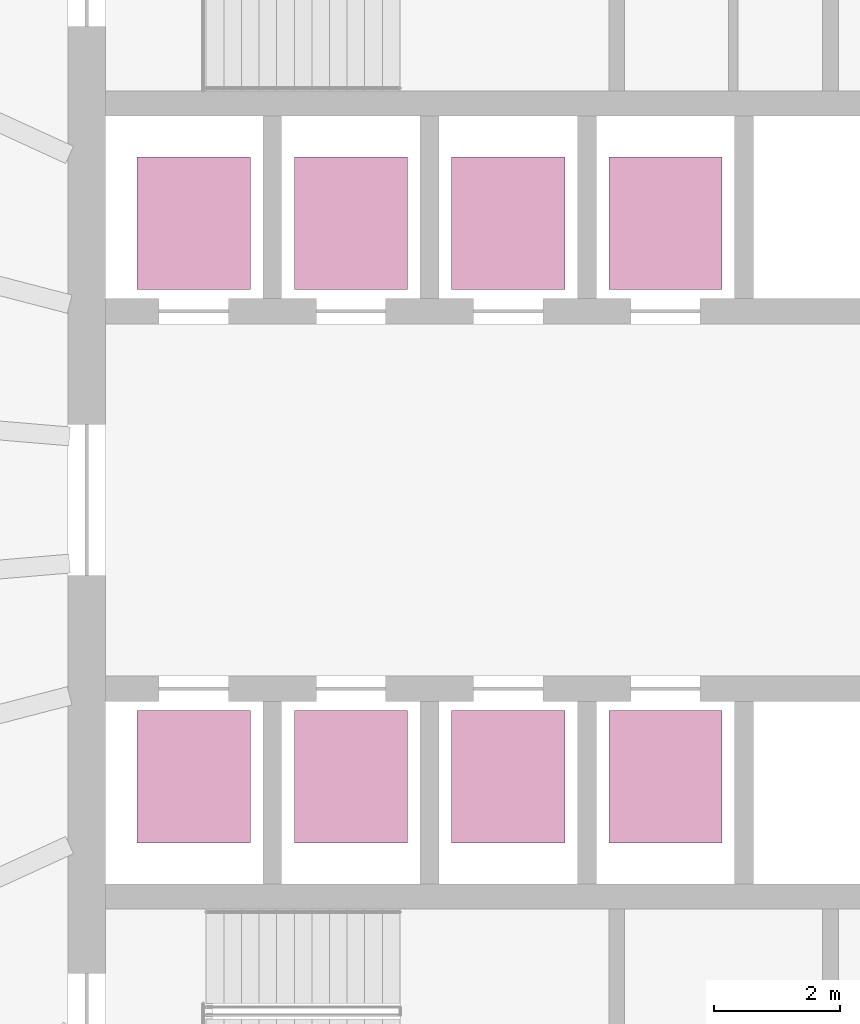
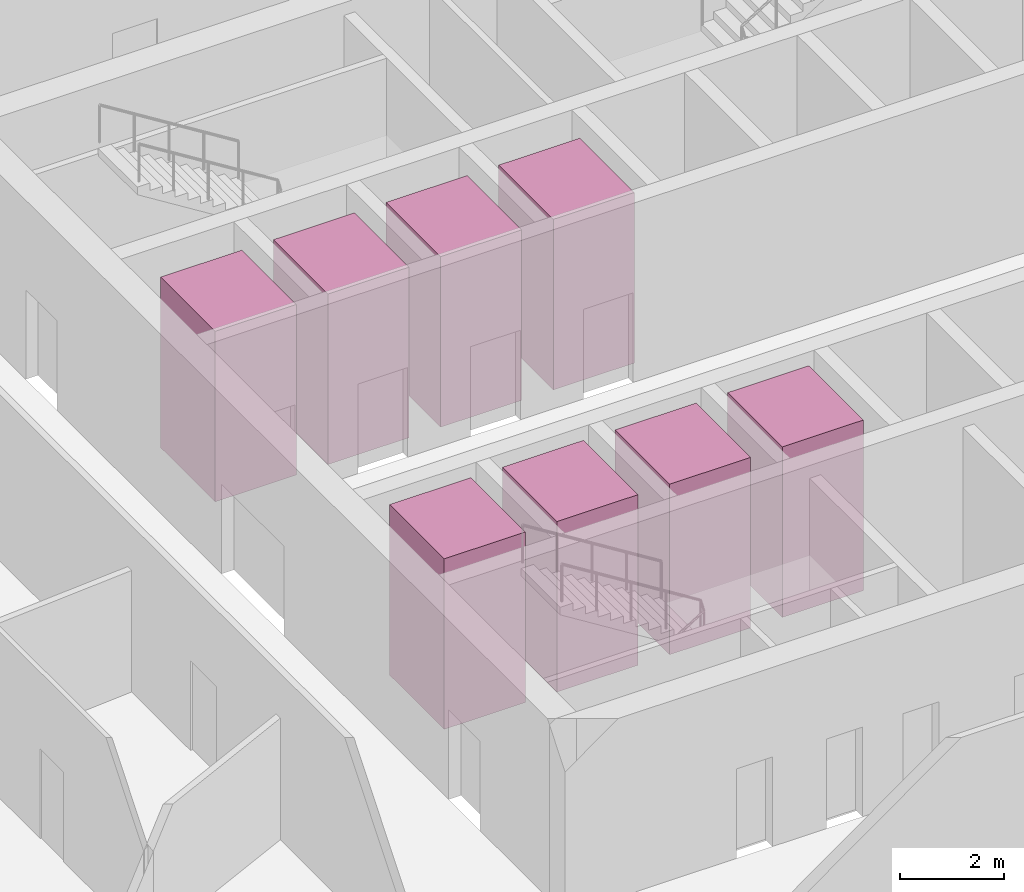
# One storey, part 10 of 10: 8 transport elements.
"""IFC4 building model written with IfcOpenShell, lengths in metres."""

from ifc_helpers import new_model, si_unit, direction, frame, origin, origin_2d, place, context, subcontext, project, spatial, rectangle, extrude, material, type_object, element, save


model = new_model("IFC4")

# Units and contexts
model_context = context("Model", 3, precision=1e-05, world=origin(), true_north=direction((0.0, 1.0)))
body_context = subcontext(model_context, "Body", "Model", "MODEL_VIEW")
ifc_project = project(units=[si_unit("LENGTHUNIT", "METRE"), si_unit("AREAUNIT", "SQUARE_METRE"), si_unit("VOLUMEUNIT", "CUBIC_METRE"), si_unit("PLANEANGLEUNIT", "RADIAN"), si_unit("MASSUNIT", "GRAM", prefix="KILO")], contexts=[model_context])

# Site, building, storey
site_placement = place(None, origin())
site = spatial("IfcSite", under=ifc_project, at=site_placement, CompositionType="ELEMENT")
building_placement = place(site_placement, origin())
building = spatial("IfcBuilding", under=site, at=building_placement, Name="Halqa Exchange Tower", CompositionType="ELEMENT")
storey_placement = place(building_placement, frame((0.0, 0.0, 90.699951171875)))
storey = spatial("IfcBuildingStorey", under=building, at=storey_placement, Name="L20", CompositionType="ELEMENT", Elevation=90.699951171875)

# Transport elements
ifc_material = material(Name="Stainless steel", Category="steel")
transport_element_type = type_object("IfcTransportElementType", Name="Low-rise passenger lift 1800 x 2100", PredefinedType="ELEVATOR", material=ifc_material)
for number, where, z_axis, x_axis, name in (
    (1, (-10.0, 4.39990234375, 0.0), (0.0, 0.0, 1.0), (1.0, 0.0, 0.0), "Low-rise passenger lift LR1"),
    (2, (-7.5, 4.39990234375, 0.0), (0.0, 0.0, 1.0), (1.0, 0.0, 0.0), "Low-rise passenger lift LR2"),
    (3, (-5.0, 4.39990234375, 0.0), (0.0, 0.0, 1.0), (1.0, 0.0, 0.0), "Low-rise passenger lift LR3"),
    (4, (-2.5, 4.39990234375, 0.0), (0.0, 0.0, 1.0), (1.0, 0.0, 0.0), "Low-rise passenger lift LR4"),
    (5, (-10.0, -4.39990234375, 0.0), (0.0, 0.0, 1.0), (1.0, 0.0, 0.0), "Low-rise passenger lift LR5"),
    (6, (-7.5, -4.39990234375, 0.0), (0.0, 0.0, 1.0), (1.0, 0.0, 0.0), "Low-rise passenger lift LR6"),
    (7, (-5.0, -4.39990234375, 0.0), (0.0, 0.0, 1.0), (1.0, 0.0, 0.0), "Low-rise passenger lift LR7"),
    (8, (-2.5, -4.39990234375, 0.0), (0.0, 0.0, 1.0), (1.0, 0.0, 0.0), "Low-rise passenger lift LR8"),
):
    element("IfcTransportElement", number, at=place(storey_placement, frame(where, z_axis=z_axis, x_axis=x_axis)), inside=storey, type_object=transport_element_type, Name=name, PredefinedType="ELEVATOR", context=body_context, shape_type="SweptSolid", body=[
        extrude(rectangle(XDim=1.800048828125, YDim=2.10009765625, at=origin_2d()), origin(), (0.0, 0.0, 1.0), 4.0),
    ])

save(model, "model.ifc")
